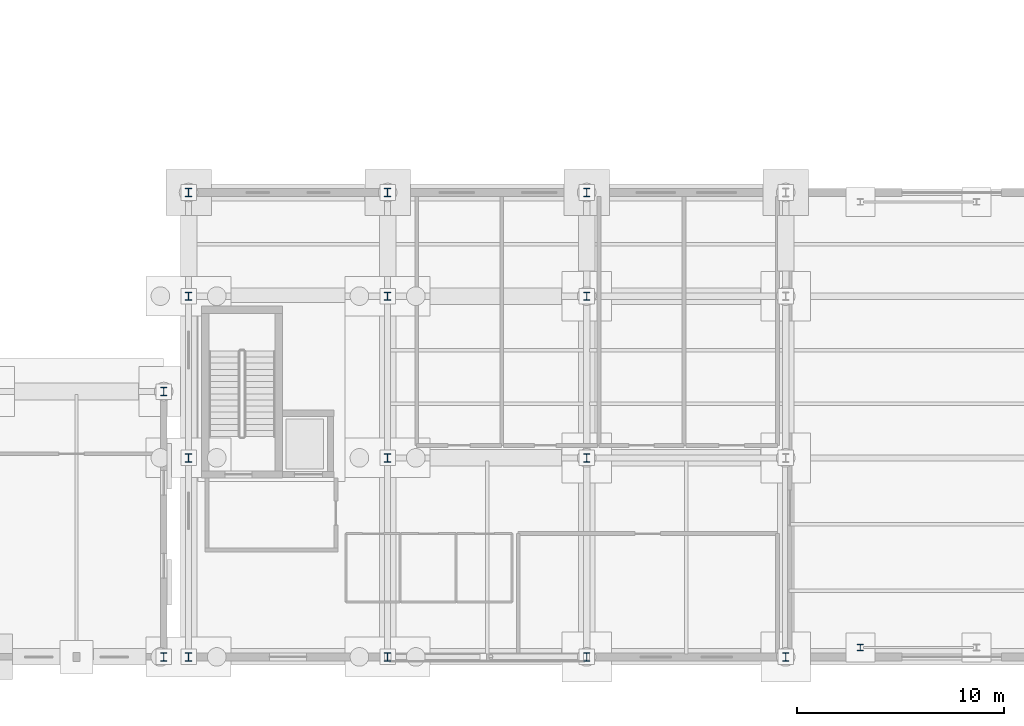
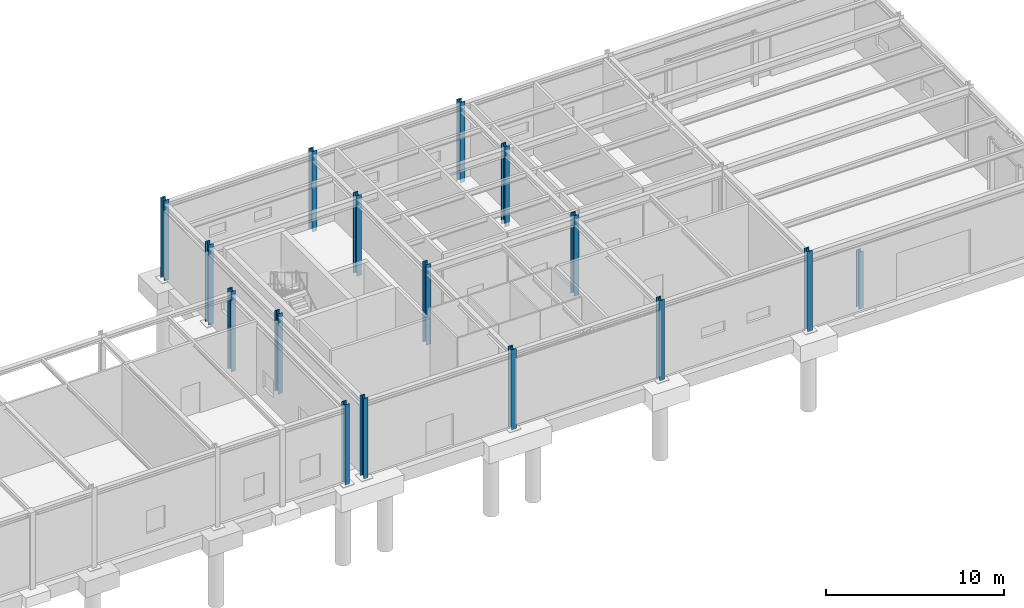
# One storey, part 18 of 109: 16 columns.
"""IFC4 building model written with IfcOpenShell, lengths in metres."""

import ifcopenshell
import ifcopenshell.guid

model = None  # the IFC model being written
_history = None  # IfcOwnerHistory: only IFC2X3 demands one
_inside = {}  # id of a spatial element -> (the spatial element, [elements in it])
_under = {}  # id of a project, library or spatial element -> (it, [spatial elements below it])
_declared = {}  # id of a project -> (the project, [libraries it declares])
_typed = {}  # id of a type object -> (the type object, [elements of that type])
_made_of = {}  # id of a material, layer set ... -> (it, [elements and type objects made of it])


def new_model(schema):
    """Start an empty IFC model of exactly this schema.

    Asked for "IFC4X3", IfcOpenShell would pick the latest addendum, in which some entities
    have other attributes; the version numbers below select the first issue.
    IFC2X3 requires an IfcOwnerHistory on every rooted entity: one is made here for all.
    """
    global model, _history
    if schema == "IFC4X3":
        model = ifcopenshell.file(schema_version=(4, 3, 0, 0))
    else:
        model = ifcopenshell.file(schema=schema)
    _inside.clear()
    _under.clear()
    _declared.clear()
    _typed.clear()
    _made_of.clear()
    _history = None
    if model.schema == "IFC2X3":
        org = make("IfcOrganization", Name="unknown")
        user = make(
            "IfcPersonAndOrganization",
            ThePerson=make("IfcPerson", FamilyName="unknown"),
            TheOrganization=org,
        )
        app = make(
            "IfcApplication",
            ApplicationDeveloper=org,
            Version="unknown",
            ApplicationFullName="unknown",
            ApplicationIdentifier="unknown",
        )
        _history = make(
            "IfcOwnerHistory",
            OwningUser=user,
            OwningApplication=app,
            ChangeAction="ADDED",
            CreationDate=0,
        )
    return model


def make(cls, **values):
    """One entity of the class cls with the attributes given. An attribute that is None is left unset."""
    return model.create_entity(
        cls, **{name: value for name, value in values.items() if value is not None}
    )


def rooted(cls, **values):
    """An entity with a GlobalId (a new one), such as an element, a storey or a relation."""
    return make(cls, GlobalId=ifcopenshell.guid.new(), OwnerHistory=_history, **values)


def si_unit(unit_type, name, prefix=None):
    """IfcSIUnit, for example si_unit("LENGTHUNIT", "METRE", prefix="MILLI")."""
    return make("IfcSIUnit", UnitType=unit_type, Prefix=prefix, Name=name)


def assignment(units):
    """IfcUnitAssignment: the units of a project."""
    return None if units is None else make("IfcUnitAssignment", Units=units)


def point(xyz):
    """IfcCartesianPoint."""
    return None if xyz is None else make("IfcCartesianPoint", Coordinates=xyz)


def direction(xyz):
    """IfcDirection."""
    return None if xyz is None else make("IfcDirection", DirectionRatios=xyz)


def frame(location, z_axis=None, x_axis=None):
    """IfcAxis2Placement3D, a coordinate frame: its origin and axes. An axis left out is left unset."""
    return make(
        "IfcAxis2Placement3D",
        Location=point(location),
        Axis=direction(z_axis),
        RefDirection=direction(x_axis),
    )


def frame_2d(location, x_axis=None):
    """IfcAxis2Placement2D, a coordinate frame in the plane: its origin and x axis."""
    return make(
        "IfcAxis2Placement2D", Location=point(location), RefDirection=direction(x_axis)
    )


def origin():
    """The frame at (0, 0, 0) with its axes left unset."""
    return frame((0.0, 0.0, 0.0))


def origin_2d():
    """The frame at (0, 0) in the plane with its x axis left unset."""
    return frame_2d((0.0, 0.0))


def place(relative_to, where):
    """IfcLocalPlacement: puts the frame where relative to a parent placement (None: the world)."""
    return make(
        "IfcLocalPlacement", PlacementRelTo=relative_to, RelativePlacement=where
    )


def context(
    kind, dimensions, precision=None, world=None, true_north=None, identifier=None
):
    """IfcGeometricRepresentationContext, for example the 3D "Model" context."""
    return make(
        "IfcGeometricRepresentationContext",
        ContextIdentifier=identifier,
        ContextType=kind,
        CoordinateSpaceDimension=dimensions,
        Precision=precision,
        WorldCoordinateSystem=world,
        TrueNorth=true_north,
    )


def subcontext(parent, identifier, kind, view, scale=None):
    """IfcGeometricRepresentationSubContext, for example "Body" below "Model"."""
    return make(
        "IfcGeometricRepresentationSubContext",
        ContextIdentifier=identifier,
        ContextType=kind,
        ParentContext=parent,
        TargetScale=scale,
        TargetView=view,
    )


def project(units=None, contexts=None):
    """IfcProject with its units and contexts."""
    return rooted(
        "IfcProject",
        Name="project",
        RepresentationContexts=contexts,
        UnitsInContext=assignment(units),
    )


def spatial(cls, under=None, at=None, **own):
    """A site, building, storey or space (cls), placed at a placement, below another one or the project."""
    s = rooted(cls, ObjectPlacement=at, **own)
    if under is not None:
        _under.setdefault(under.id(), (under, []))[1].append(s)
    return s


def profile(cls, at=None, kind="AREA", **sizes):
    """A parametric profile (cls). Its sizes go by their IFC names, for example OverallWidth=200.0."""
    return make(cls, ProfileType=kind, Position=at, **sizes)


def i_section(**sizes):
    """IfcIShapeProfileDef."""
    return profile("IfcIShapeProfileDef", **sizes)


def extrude(swept, where, along, depth):
    """IfcExtrudedAreaSolid: the profile swept, set in the frame where, extruded along a direction by depth."""
    return make(
        "IfcExtrudedAreaSolid",
        SweptArea=swept,
        Position=where,
        ExtrudedDirection=direction(along),
        Depth=depth,
    )


def shape(context_of_items, identifier, shape_type, items):
    """IfcShapeRepresentation: the items that make up one representation, for example the "Body"."""
    return make(
        "IfcShapeRepresentation",
        ContextOfItems=context_of_items,
        RepresentationIdentifier=identifier,
        RepresentationType=shape_type,
        Items=items,
    )


def material(Name=None, Category=None):
    """IfcMaterial."""
    return make("IfcMaterial", Name=Name, Category=Category)


def material_profile(
    of_material, cross_section, Name=None, Category=None, Priority=None
):
    """IfcMaterialProfile: a cross section and its material."""
    return make(
        "IfcMaterialProfile",
        Name=Name,
        Material=of_material,
        Profile=cross_section,
        Priority=Priority,
        Category=Category,
    )


def profile_set(profiles, Name=None, composite=None):
    """IfcMaterialProfileSet."""
    return make(
        "IfcMaterialProfileSet",
        Name=Name,
        MaterialProfiles=profiles,
        CompositeProfile=composite,
    )


def made_of(thing, what):
    """Note that an element or type object is made of a material, layer set ...; save() writes the relation."""
    if what is not None:
        _made_of.setdefault(what.id(), (what, []))[1].append(thing)
    return thing


def type_object(cls, material=None, **own):
    """A type object (cls), such as IfcWallType, which elements share."""
    return made_of(rooted(cls, **own), material)


def element(
    cls,
    number,
    at=None,
    inside=None,
    cuts=None,
    type_object=None,
    material=None,
    context=None,
    identifier="Body",
    shape_type=None,
    held_by="IfcProductDefinitionShape",
    body=None,
    shapes=None,
    **own,
):
    """One element of the class cls, such as IfcWall. Its Tag is "e" and its number.

    at: its placement. inside: the storey or other place that contains it. cuts: it is an
    opening in that element (IfcRelVoidsElement). A single representation is given by context,
    identifier, shape_type and body (its items); several are given by shapes. held_by: the class
    of the entity that holds the representations. save() writes the other relations.
    """
    e = rooted(cls, Tag="e%d" % number, ObjectPlacement=at, **own)
    if body is not None:
        shapes = [shape(context, identifier, shape_type, body)]
    if shapes is not None:
        e.Representation = make(held_by, Representations=shapes)
    if inside is not None:
        _inside.setdefault(inside.id(), (inside, []))[1].append(e)
    if cuts is not None:
        rooted(
            "IfcRelVoidsElement", RelatingBuildingElement=cuts, RelatedOpeningElement=e
        )
    if type_object is not None:
        _typed.setdefault(type_object.id(), (type_object, []))[1].append(e)
    return made_of(e, material)


def aggregate(whole, parts):
    """IfcRelAggregates: a whole, such as a stair, and the parts it consists of."""
    return rooted("IfcRelAggregates", RelatingObject=whole, RelatedObjects=parts)


def save(model, path):
    """Write the relations noted so far, then the file.

    IfcRelAggregates (storeys below a building ...), IfcRelContainedInSpatialStructure (elements
    in a storey), IfcRelDefinesByType, IfcRelAssociatesMaterial and IfcRelDeclares: one each for
    every whole, place, type object, material and project.
    """
    for whole, parts in _under.values():
        aggregate(whole, parts)
    for where, things in _inside.values():
        rooted(
            "IfcRelContainedInSpatialStructure",
            RelatedElements=things,
            RelatingStructure=where,
        )
    for kind, things in _typed.values():
        rooted("IfcRelDefinesByType", RelatedObjects=things, RelatingType=kind)
    for what, things in _made_of.values():
        rooted("IfcRelAssociatesMaterial", RelatedObjects=things, RelatingMaterial=what)
    for by, libraries in _declared.values():
        rooted("IfcRelDeclares", RelatingContext=by, RelatedDefinitions=libraries)
    model.write(path)


model = new_model("IFC4")

# Units and contexts
model_context = context("Model", 3, precision=1e-05, world=origin(), true_north=direction((0.0, 1.0)))
body_context = subcontext(model_context, "Body", "Model", "MODEL_VIEW")
ifc_project = project(units=[si_unit("LENGTHUNIT", "METRE"), si_unit("AREAUNIT", "SQUARE_METRE"), si_unit("VOLUMEUNIT", "CUBIC_METRE"), si_unit("PLANEANGLEUNIT", "RADIAN"), si_unit("MASSUNIT", "GRAM", prefix="KILO")], contexts=[model_context])

# Site, building, storey
site_placement = place(None, origin())
site = spatial("IfcSite", under=ifc_project, at=site_placement, CompositionType="ELEMENT")
building_placement = place(site_placement, origin())
building = spatial("IfcBuilding", under=site, at=building_placement, Name="Nordkorset Police Headquarters", CompositionType="ELEMENT")
storey_placement = place(building_placement, origin())
storey = spatial("IfcBuildingStorey", under=building, at=storey_placement, Name="L00", CompositionType="ELEMENT", Elevation=0.0)

# Columns
ifc_material_1 = material(Name="Steel S355J2", Category="steel")
ifc_material_profile_1 = material_profile(ifc_material_1, i_section(OverallWidth=0.300048828125, OverallDepth=0.300048828125, WebThickness=0.010986328125, FlangeThickness=0.01904296875, FilletRadius=0.027099609375, at=origin_2d()), Name="HEB 300")
ifc_profile_set_1 = profile_set([ifc_material_profile_1], Name="Steel S355J2")
column_type_1 = type_object("IfcColumnType", Name="Col_HEB_300", PredefinedType="COLUMN", material=ifc_profile_set_1)
column_placement = place(storey_placement, frame((158.800048828125, 0.449951171875, -0.27001953125), z_axis=(0.0, 0.0, 1.0), x_axis=(1.0, 0.0, 0.0)))
element("IfcColumn", 1, at=column_placement, inside=storey, type_object=column_type_1, Name="Portal Jamb Post LNT-VG01-0", PredefinedType="COLUMN", context=body_context, shape_type="SweptSolid", body=[
    extrude(i_section(OverallWidth=0.300048828125, OverallDepth=0.300048828125, WebThickness=0.010986328125, FlangeThickness=0.01904296875, FilletRadius=0.027099609375, at=origin_2d()), origin(), (0.0, 0.0, 1.0), 3.919921875),
])
ifc_material_2 = material(Name="Steel S355J2", Category="steel")
ifc_material_profile_2 = material_profile(ifc_material_2, i_section(OverallWidth=0.300048828125, OverallDepth=0.39990234375, WebThickness=0.013427734375, FlangeThickness=0.02392578125, FilletRadius=0.027099609375, at=origin_2d()), Name="HEB 400")
ifc_profile_set_2 = profile_set([ifc_material_profile_2], Name="Steel S355J2")
column_type_2 = type_object("IfcColumnType", Name="Col_HEB_400", PredefinedType="COLUMN", material=ifc_profile_set_2)
for number, where, z_axis, x_axis, name in (
    (2, (126.39990234375, 22.39990234375, -0.27001953125), (0.0, 0.0, 1.0), (1.0, 0.0, 0.0), "Structural Column V6_N_0 L00"),
    (3, (126.39990234375, 0.0, -0.27001953125), (0.0, 0.0, 1.0), (1.0, 0.0, 0.0), "Structural Column V6_Y0_0 L00"),
    (4, (126.39990234375, 9.60009765625, -0.27001953125), (0.0, 0.0, 1.0), (1.0, 0.0, 0.0), "Structural Column V6_Y1_0 L00"),
    (5, (126.39990234375, 17.39990234375, -0.27001953125), (0.0, 0.0, 1.0), (1.0, 0.0, 0.0), "Structural Column V6_Y2_0 L00"),
    (6, (136.0, 22.39990234375, -0.27001953125), (0.0, 0.0, 1.0), (1.0, 0.0, 0.0), "Structural Column V6_N_1 L00"),
    (7, (136.0, 0.0, -0.27001953125), (0.0, 0.0, 1.0), (1.0, 0.0, 0.0), "Structural Column V6_Y0_1 L00"),
    (8, (136.0, 9.60009765625, -0.27001953125), (0.0, 0.0, 1.0), (1.0, 0.0, 0.0), "Structural Column V6_Y1_1 L00"),
    (9, (136.0, 17.39990234375, -0.27001953125), (0.0, 0.0, 1.0), (1.0, 0.0, 0.0), "Structural Column V6_Y2_1 L00"),
    (10, (145.60009765625, 22.39990234375, -0.27001953125), (0.0, 0.0, 1.0), (1.0, 0.0, 0.0), "Structural Column V6_N_2 L00"),
    (11, (145.60009765625, 0.0, -0.27001953125), (0.0, 0.0, 1.0), (1.0, 0.0, 0.0), "Structural Column V6_Y0_2 L00"),
    (12, (145.60009765625, 9.60009765625, -0.27001953125), (0.0, 0.0, 1.0), (1.0, 0.0, 0.0), "Structural Column V6_Y1_2 L00"),
    (13, (145.60009765625, 17.39990234375, -0.27001953125), (0.0, 0.0, 1.0), (1.0, 0.0, 0.0), "Structural Column V6_Y2_2 L00"),
    (14, (155.199951171875, 0.0, -0.27001953125), (0.0, 0.0, 1.0), (1.0, 0.0, 0.0), "Structural Column V6_Y0_3 L00"),
    (15, (125.199951171875, 0.0, -0.27001953125), (0.0, 0.0, 1.0), (1.0, 0.0, 0.0), "Structural Column V7_S0_14 L00"),
    (16, (125.199951171875, 12.800048828125, -0.27001953125), (0.0, 0.0, 1.0), (1.0, 0.0, 0.0), "Structural Column V7_S1_14 L00"),
):
    element("IfcColumn", number, at=place(storey_placement, frame(where, z_axis=z_axis, x_axis=x_axis)), inside=storey, type_object=column_type_2, Name=name, PredefinedType="COLUMN", context=body_context, shape_type="SweptSolid", body=[
        extrude(i_section(OverallWidth=0.300048828125, OverallDepth=0.39990234375, WebThickness=0.013427734375, FlangeThickness=0.02392578125, FilletRadius=0.027099609375, at=origin_2d()), origin(), (0.0, 0.0, 1.0), 5.52001953125),
    ])

save(model, "model.ifc")
